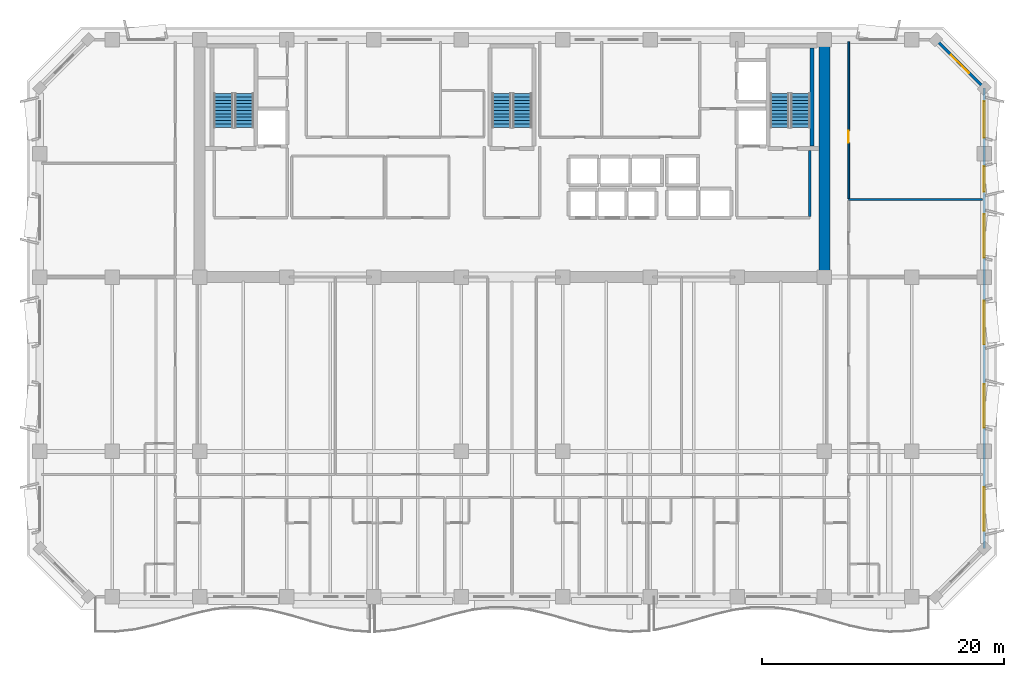
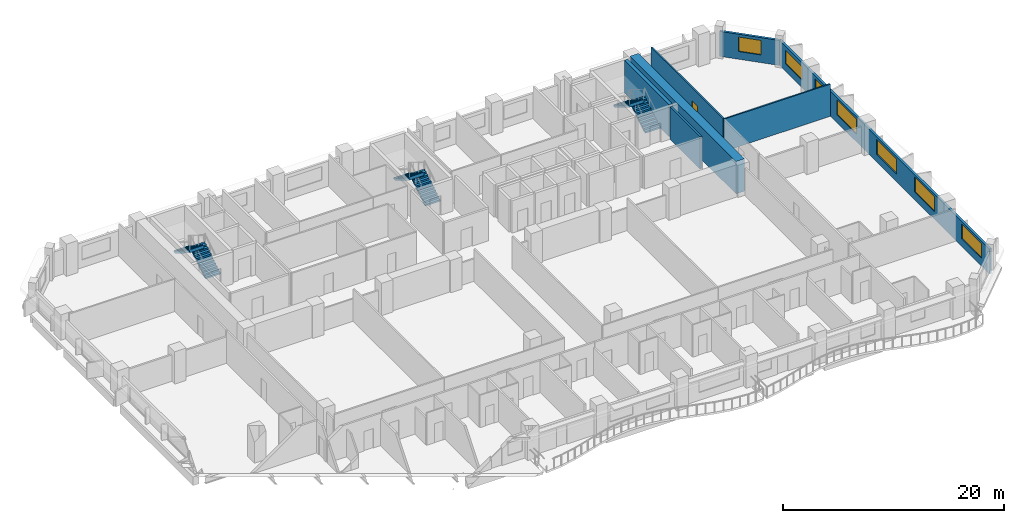
# One storey, part 10 of 15: 7 walls, 7 windows, 6 stair flights, 1 door, 8 openings, 3 elements without a shape of their own.
"""IFC4 building model written with IfcOpenShell, lengths in metres."""

from ifc_helpers import new_model, si_unit, direction, frame, frame_2d, origin, place, context, subcontext, project, spatial, polyline, rectangle, outline, extrude, material, layer, layer_set, type_object, element, fill, aggregate, save


model = new_model("IFC4")

# Units and contexts
model_context = context("Model", 3, precision=1e-05, world=origin(), true_north=direction((0.0, 1.0)))
body_context = subcontext(model_context, "Body", "Model", "MODEL_VIEW")
ifc_project = project(units=[si_unit("LENGTHUNIT", "METRE"), si_unit("AREAUNIT", "SQUARE_METRE"), si_unit("VOLUMEUNIT", "CUBIC_METRE"), si_unit("PLANEANGLEUNIT", "RADIAN"), si_unit("MASSUNIT", "GRAM", prefix="KILO")], contexts=[model_context])

# Site, building, storey
site_placement = place(None, origin())
site = spatial("IfcSite", under=ifc_project, at=site_placement, CompositionType="ELEMENT")
building_placement = place(site_placement, origin())
building = spatial("IfcBuilding", under=site, at=building_placement, Name="Kaelvorn Grand Hotel", CompositionType="ELEMENT")
storey_placement = place(building_placement, frame((0.0, 0.0, 139.14990234375)))
storey = spatial("IfcBuildingStorey", under=building, at=storey_placement, Name="L33", CompositionType="ELEMENT", Elevation=139.14990234375)

# Wall
ifc_material_1 = material(Name="Concrete C60/75", Category="concrete")
ifc_layer_1 = layer(ifc_material_1, 0.89990234375)
ifc_layer_set_1 = layer_set([ifc_layer_1], Name="Concrete C60/75")
wall_type_1 = type_object("IfcWallType", Name="WL-CORE-900-C60", PredefinedType="SHEAR", material=ifc_layer_set_1)
wall_1_placement = place(storey_placement, frame((67.800048828125, 29.39990234375, 0.0), z_axis=(0.0, 0.0, 1.0), x_axis=(0.0, 1.0, 0.0)))
element("IfcWall", 1, at=wall_1_placement, inside=storey, type_object=wall_type_1, Name="L33 Rear-Core East Shear Wall", PredefinedType="SHEAR", context=body_context, shape_type="SweptSolid", body=[
    extrude(rectangle(XDim=19.2001953125, YDim=0.89990234375, at=frame_2d((9.60009765625, 0.0))), origin(), (0.0, 0.0, 1.0), 3.56005859375),
])

# Wall, openings, windows
ifc_material_2 = material(Name="Concrete C40/50", Category="concrete")
ifc_layer_2 = layer(ifc_material_2, 0.239990234375)
ifc_layer_set_2 = layer_set([ifc_layer_2], Name="Concrete C40/50")
wall_type_2 = type_object("IfcWallType", Name="WL-EXT-240-C40", PredefinedType="SOLIDWALL", material=ifc_layer_set_2)
wall_2_placement = place(storey_placement, frame((81.0, 7.0, 0.0), z_axis=(0.0, 0.0, 1.0), x_axis=(0.0, 1.0, 0.0)))
wall_2 = element("IfcWall", 2, at=wall_2_placement, inside=storey, type_object=wall_type_2, Name="L33 Exterior Architectural Concrete Wall 03", PredefinedType="SOLIDWALL", context=body_context, shape_type="SweptSolid", body=[
    extrude(rectangle(XDim=38.0, YDim=0.239990234375, at=frame_2d((19.0, 0.0))), origin(), (0.0, 0.0, 1.0), 2.760009765625),
])
opening_1_placement = place(wall_2_placement, frame((1.449951171875, 0.0, 0.85009765625)))
opening_1 = element("IfcOpeningElement", 3, at=opening_1_placement, cuts=wall_2, Name="Opening W3", PredefinedType="OPENING", context=body_context, shape_type="SweptSolid", body=[
    extrude(rectangle(XDim=3.60009765625, YDim=1.64990234375, at=frame_2d((1.800048828125, 0.824951171875))), frame((0.0, 0.1298828125, 0.0), z_axis=(0.0, -1.0, 0.0), x_axis=(1.0, 0.0, 0.0)), (0.0, 0.0, 1.0), 0.260009765625),
])
opening_2_placement = place(wall_2_placement, frame((9.965087890625, 0.0, 0.85009765625)))
opening_2 = element("IfcOpeningElement", 4, at=opening_2_placement, cuts=wall_2, Name="Opening W3", PredefinedType="OPENING", context=body_context, shape_type="SweptSolid", body=[
    extrude(rectangle(XDim=3.60009765625, YDim=1.64990234375, at=frame_2d((1.800048828125, 0.824951171875))), frame((0.0, 0.1298828125, 0.0), z_axis=(0.0, -1.0, 0.0), x_axis=(1.0, 0.0, 0.0)), (0.0, 0.0, 1.0), 0.260009765625),
])
opening_3_placement = place(wall_2_placement, frame((16.8349609375, 0.0, 0.85009765625)))
opening_3 = element("IfcOpeningElement", 5, at=opening_3_placement, cuts=wall_2, Name="Opening W3", PredefinedType="OPENING", context=body_context, shape_type="SweptSolid", body=[
    extrude(rectangle(XDim=3.60009765625, YDim=1.64990234375, at=frame_2d((1.800048828125, 0.824951171875))), frame((0.0, 0.1298828125, 0.0), z_axis=(0.0, -1.0, 0.0), x_axis=(1.0, 0.0, 0.0)), (0.0, 0.0, 1.0), 0.260009765625),
])
opening_4_placement = place(wall_2_placement, frame((24.0, 0.0, 0.85009765625)))
opening_4 = element("IfcOpeningElement", 6, at=opening_4_placement, cuts=wall_2, Name="Opening W3", PredefinedType="OPENING", context=body_context, shape_type="SweptSolid", body=[
    extrude(rectangle(XDim=3.60009765625, YDim=1.64990234375, at=frame_2d((1.800048828125, 0.824951171875))), frame((0.0, 0.1298828125, 0.0), z_axis=(0.0, -1.0, 0.0), x_axis=(1.0, 0.0, 0.0)), (0.0, 0.0, 1.0), 0.260009765625),
])
opening_5_placement = place(wall_2_placement, frame((29.449951171875, 0.0, 0.85009765625)))
opening_5 = element("IfcOpeningElement", 7, at=opening_5_placement, cuts=wall_2, Name="Opening W7", PredefinedType="OPENING", context=body_context, shape_type="SweptSolid", body=[
    extrude(rectangle(XDim=2.10009765625, YDim=1.60009765625, at=frame_2d((1.050048828125, 0.800048828125))), frame((0.0, 0.1298828125, 0.0), z_axis=(0.0, -1.0, 0.0), x_axis=(1.0, 0.0, 0.0)), (0.0, 0.0, 1.0), 0.260009765625),
])
opening_6_placement = place(wall_2_placement, frame((33.9150390625, 0.0, 0.85009765625)))
opening_6 = element("IfcOpeningElement", 8, at=opening_6_placement, cuts=wall_2, Name="Opening W5", PredefinedType="OPENING", context=body_context, shape_type="SweptSolid", body=[
    extrude(rectangle(XDim=3.0, YDim=1.5, at=frame_2d((1.5, 0.75))), frame((0.0, 0.1298828125, 0.0), z_axis=(0.0, -1.0, 0.0), x_axis=(1.0, 0.0, 0.0)), (0.0, 0.0, 1.0), 0.260009765625),
])
ifc_material_3 = material(Name="Laminated Low-E Glass", Category="glass")
window_type_1 = type_object("IfcWindowType", Name="WIN-CHM-2100x1600", PartitioningType="SINGLE_PANEL", PredefinedType="WINDOW", material=ifc_material_3)
window_1_placement = place(opening_5_placement, origin())
window_1 = element("IfcWindow", 9, at=window_1_placement, inside=storey, type_object=window_type_1, Name="L33 E Wing Tilted-Frame Ribbon Window E05", OverallHeight=1.60009765625, OverallWidth=2.10009765625, PartitioningType="SINGLE_PANEL", PredefinedType="WINDOW", context=body_context, shape_type="SweptSolid", body=[
    extrude(rectangle(XDim=2.10009765625, YDim=1.60009765625, at=frame_2d((1.050048828125, 0.800048828125))), frame((0.0, 0.030029296875, 0.0), z_axis=(0.0, -1.0, 0.0), x_axis=(1.0, 0.0, 0.0)), (0.0, 0.0, 1.0), 0.06005859375),
])
fill(opening_5, window_1)
window_type_2 = type_object("IfcWindowType", Name="WIN-NTH-3000x1500", PartitioningType="SINGLE_PANEL", PredefinedType="WINDOW", material=ifc_material_3)
window_2_placement = place(opening_6_placement, origin())
window_2 = element("IfcWindow", 10, at=window_2_placement, inside=storey, type_object=window_type_2, Name="L33 E Wing Tilted-Frame Ribbon Window E06", OverallHeight=1.5, OverallWidth=3.0, PartitioningType="SINGLE_PANEL", PredefinedType="WINDOW", context=body_context, shape_type="SweptSolid", body=[
    extrude(rectangle(XDim=3.0, YDim=1.5, at=frame_2d((1.5, 0.75))), frame((0.0, 0.030029296875, 0.0), z_axis=(0.0, -1.0, 0.0), x_axis=(1.0, 0.0, 0.0)), (0.0, 0.0, 1.0), 0.06005859375),
])
fill(opening_6, window_2)
window_type_3 = type_object("IfcWindowType", Name="WIN-RIB-3600x1750", PartitioningType="SINGLE_PANEL", PredefinedType="WINDOW", material=ifc_material_3)
window_3_placement = place(opening_1_placement, origin())
window_3 = element("IfcWindow", 11, at=window_3_placement, inside=storey, type_object=window_type_3, Name="L33 E Wing Tilted-Frame Ribbon Window E01", OverallHeight=1.64990234375, OverallWidth=3.60009765625, PartitioningType="SINGLE_PANEL", PredefinedType="WINDOW", context=body_context, shape_type="SweptSolid", body=[
    extrude(rectangle(XDim=3.60009765625, YDim=1.64990234375, at=frame_2d((1.800048828125, 0.824951171875))), frame((0.0, 0.030029296875, 0.0), z_axis=(0.0, -1.0, 0.0), x_axis=(1.0, 0.0, 0.0)), (0.0, 0.0, 1.0), 0.06005859375),
])
fill(opening_1, window_3)
window_4_placement = place(opening_2_placement, origin())
window_4 = element("IfcWindow", 12, at=window_4_placement, inside=storey, type_object=window_type_3, Name="L33 E Wing Tilted-Frame Ribbon Window E02", OverallHeight=1.64990234375, OverallWidth=3.60009765625, PartitioningType="SINGLE_PANEL", PredefinedType="WINDOW", context=body_context, shape_type="SweptSolid", body=[
    extrude(rectangle(XDim=3.60009765625, YDim=1.64990234375, at=frame_2d((1.800048828125, 0.824951171875))), frame((0.0, 0.030029296875, 0.0), z_axis=(0.0, -1.0, 0.0), x_axis=(1.0, 0.0, 0.0)), (0.0, 0.0, 1.0), 0.06005859375),
])
fill(opening_2, window_4)
window_5_placement = place(opening_3_placement, origin())
window_5 = element("IfcWindow", 13, at=window_5_placement, inside=storey, type_object=window_type_3, Name="L33 E Wing Tilted-Frame Ribbon Window E03", OverallHeight=1.64990234375, OverallWidth=3.60009765625, PartitioningType="SINGLE_PANEL", PredefinedType="WINDOW", context=body_context, shape_type="SweptSolid", body=[
    extrude(rectangle(XDim=3.60009765625, YDim=1.64990234375, at=frame_2d((1.800048828125, 0.824951171875))), frame((0.0, 0.030029296875, 0.0), z_axis=(0.0, -1.0, 0.0), x_axis=(1.0, 0.0, 0.0)), (0.0, 0.0, 1.0), 0.06005859375),
])
fill(opening_3, window_5)
window_6_placement = place(opening_4_placement, origin())
window_6 = element("IfcWindow", 14, at=window_6_placement, inside=storey, type_object=window_type_3, Name="L33 E Wing Tilted-Frame Ribbon Window E04", OverallHeight=1.64990234375, OverallWidth=3.60009765625, PartitioningType="SINGLE_PANEL", PredefinedType="WINDOW", context=body_context, shape_type="SweptSolid", body=[
    extrude(rectangle(XDim=3.60009765625, YDim=1.64990234375, at=frame_2d((1.800048828125, 0.824951171875))), frame((0.0, 0.030029296875, 0.0), z_axis=(0.0, -1.0, 0.0), x_axis=(1.0, 0.0, 0.0)), (0.0, 0.0, 1.0), 0.06005859375),
])
fill(opening_4, window_6)

# Wall, opening, window
wall_3_placement = place(storey_placement, frame((81.0, 45.0, 0.0), z_axis=(0.0, 0.0, 1.0), x_axis=(-0.707106781187, 0.707106781187, 0.0)))
wall_3 = element("IfcWall", 15, at=wall_3_placement, inside=storey, type_object=wall_type_2, Name="L33 Exterior Architectural Concrete Wall 04", PredefinedType="SOLIDWALL", context=body_context, shape_type="SweptSolid", body=[
    extrude(rectangle(XDim=5.65673828125, YDim=0.239990234375, at=frame_2d((2.828369140625, 0.0))), origin(), (0.0, 0.0, 1.0), 2.760009765625),
])
opening_7_placement = place(wall_3_placement, frame((1.7783203125, 0.0, 0.85009765625)))
opening_7 = element("IfcOpeningElement", 16, at=opening_7_placement, cuts=wall_3, Name="Opening W7", PredefinedType="OPENING", context=body_context, shape_type="SweptSolid", body=[
    extrude(rectangle(XDim=2.10009765625, YDim=1.60009765625, at=frame_2d((1.050048828125, 0.800048828125))), frame((0.0, 0.1298828125, 0.0), z_axis=(0.0, -1.0, 0.0), x_axis=(1.0, 0.0, 0.0)), (0.0, 0.0, 1.0), 0.260009765625),
])
window_7_placement = place(opening_7_placement, origin())
window_7 = element("IfcWindow", 17, at=window_7_placement, inside=storey, type_object=window_type_1, Name="L33 Chamfered 45-Degree Corner Window NE", OverallHeight=1.60009765625, OverallWidth=2.10009765625, PartitioningType="SINGLE_PANEL", PredefinedType="WINDOW", context=body_context, shape_type="SweptSolid", body=[
    extrude(rectangle(XDim=2.10009765625, YDim=1.60009765625, at=frame_2d((1.050048828125, 0.800048828125))), frame((0.0, 0.030029296875, 0.0), z_axis=(0.0, -1.0, 0.0), x_axis=(1.0, 0.0, 0.0)), (0.0, 0.0, 1.0), 0.06005859375),
])
fill(opening_7, window_7)

# Wall
ifc_material_4 = material(Name="Acoustic Gypsum & Stud Partition")
ifc_layer_3 = layer(ifc_material_4, 0.14990234375)
ifc_layer_set_3 = layer_set([ifc_layer_3], Name="Acoustic Gypsum & Stud Partition")
wall_type_3 = type_object("IfcWallType", Name="WL-PART-150-EI60", PredefinedType="PARTITIONING", material=ifc_layer_set_3)
wall_4_placement = place(storey_placement, frame((69.800048828125, 35.800048828125, 0.0), z_axis=(0.0, 0.0, 1.0), x_axis=(1.0, 0.0, 0.0)))
element("IfcWall", 18, at=wall_4_placement, inside=storey, type_object=wall_type_3, Name="L33 North-East Wellness Fitness Gym N Partition", PredefinedType="PARTITIONING", context=body_context, shape_type="SweptSolid", body=[
    extrude(rectangle(XDim=11.050048828125, YDim=0.14990234375, at=frame_2d((5.52490234375, 0.0))), origin(), (0.0, 0.0, 1.0), 3.56005859375),
])

# Wall, opening, door
wall_5_placement = place(storey_placement, frame((69.800048828125, 35.8798828125, 0.0), z_axis=(0.0, 0.0, 1.0), x_axis=(0.0, 1.0, 0.0)))
wall_5 = element("IfcWall", 19, at=wall_5_placement, inside=storey, type_object=wall_type_3, Name="L33 North-East Private Dining Restaurant W Partition", PredefinedType="PARTITIONING", context=body_context, shape_type="SweptSolid", body=[
    extrude(rectangle(XDim=12.97021484375, YDim=0.14990234375, at=frame_2d((6.485107421875, 0.0))), origin(), (0.0, 0.0, 1.0), 3.56005859375),
])
opening_8_placement = place(wall_5_placement, frame((4.6201171875, 0.0, 0.0)))
opening_8 = element("IfcOpeningElement", 20, at=opening_8_placement, cuts=wall_5, Name="Opening DI3", PredefinedType="OPENING", context=body_context, shape_type="SweptSolid", body=[
    extrude(rectangle(XDim=1.0, YDim=2.14990234375, at=frame_2d((0.5, 1.074951171875))), frame((0.0, 0.0849609375, 0.0), z_axis=(0.0, -1.0, 0.0), x_axis=(1.0, 0.0, 0.0)), (0.0, 0.0, 1.0), 0.169921875),
])
ifc_material_5 = material(Name="Timber Veneer Fire Leaf", Category="wood")
door_type = type_object("IfcDoorType", Name="DR-INT-GUEST-1000x2150", OperationType="NOTDEFINED", PredefinedType="DOOR", material=ifc_material_5)
door_placement = place(opening_8_placement, origin())
door = element("IfcDoor", 21, at=door_placement, inside=storey, type_object=door_type, Name="L33 North-East Private Dining Restaurant Door", OperationType="SINGLE_SWING_RIGHT", OverallHeight=2.14990234375, OverallWidth=1.0, PredefinedType="DOOR", context=body_context, shape_type="SweptSolid", body=[
    extrude(rectangle(XDim=1.0, YDim=2.14990234375, at=frame_2d((0.5, 1.074951171875))), frame((0.0, 0.02490234375, 0.0), z_axis=(0.0, -1.0, 0.0), x_axis=(1.0, 0.0, 0.0)), (0.0, 0.0, 1.0), 0.050048828125),
])
fill(opening_8, door)

# Walls
ifc_layer_4 = layer(ifc_material_2, 0.219970703125)
ifc_layer_set_4 = layer_set([ifc_layer_4], Name="Concrete C40/50")
wall_type_4 = type_object("IfcWallType", Name="WL-PART-220-EI120", PredefinedType="PARTITIONING", material=ifc_layer_set_4)
wall_6_placement = place(storey_placement, frame((66.60009765625, 34.4150390625, 0.0), z_axis=(0.0, 0.0, 1.0), x_axis=(0.0, 1.0, 0.0)))
element("IfcWall", 22, at=wall_6_placement, inside=storey, type_object=wall_type_4, Name="L33 Firefighting Lift Lobby 2 E Partition", PredefinedType="PARTITIONING", context=body_context, shape_type="SweptSolid", body=[
    extrude(rectangle(XDim=5.429931640625, YDim=0.219970703125, at=frame_2d((2.71484375, 0.0))), origin(), (0.0, 0.0, 1.0), 3.56005859375),
])
ifc_layer_5 = layer(ifc_material_1, 0.35009765625)
ifc_layer_set_5 = layer_set([ifc_layer_5], Name="Concrete C60/75")
wall_type_5 = type_object("IfcWallType", Name="WL-SHAFT-350-C60", PredefinedType="SHEAR", material=ifc_layer_set_5)
wall_7_placement = place(storey_placement, frame((66.77490234375, 40.205078125, 0.0), z_axis=(0.0, 0.0, 1.0), x_axis=(0.0, 1.0, 0.0)))
element("IfcWall", 23, at=wall_7_placement, inside=storey, type_object=wall_type_5, Name="L33 ST3 Stair Shaft East Wall", PredefinedType="SHEAR", context=body_context, shape_type="SweptSolid", body=[
    extrude(rectangle(XDim=8.08984375, YDim=0.35009765625, at=frame_2d((4.044921875, 0.0))), origin(), (0.0, 0.0, 1.0), 3.56005859375),
])

# Stair, stair flights
stair_type = type_object("IfcStairType", Name="STR-DOG-1560-R08", PredefinedType="HALF_TURN_STAIR", material=ifc_material_2)
stair_1_placement = place(storey_placement, origin())
stair_1 = element("IfcStair", 24, at=stair_1_placement, inside=storey, type_object=stair_type, Name="L33 West Core Exit Stair ST1", PredefinedType="HALF_TURN_STAIR")
stair_flight_type = type_object("IfcStairFlightType", Name="FLG-DOG-1560-R08", PredefinedType="STRAIGHT", material=ifc_material_2)
stair_flight_1_placement = place(storey_placement, frame((19.89990234375, 41.760009765625, 0.0), z_axis=(0.0, 0.0, 1.0), x_axis=(0.0, 1.0, 0.0)))
stair_flight_1 = element("IfcStairFlight", 25, at=stair_flight_1_placement, type_object=stair_flight_type, Name="ST1 flight 1", NumberOfRisers=11, NumberOfTreads=10, PredefinedType="STRAIGHT", RiserHeight=0.172727273, TreadLength=0.28, context=body_context, shape_type="SweptSolid", body=[
    extrude(outline(polyline([(-0.0048828125, 0.0), (-0.0048828125, 0.0400390625), (0.0, 0.172607421875), (0.280029296875, 0.172607421875), (0.280029296875, 0.345458984375), (0.56005859375, 0.345458984375), (0.56005859375, 0.51806640625), (0.840087890625, 0.51806640625), (0.840087890625, 0.69091796875), (1.1201171875, 0.69091796875), (1.1201171875, 0.863525390625), (1.39990234375, 0.863525390625), (1.39990234375, 1.036376953125), (1.679931640625, 1.036376953125), (1.679931640625, 1.208984375), (1.9599609375, 1.208984375), (1.9599609375, 1.3818359375), (2.239990234375, 1.3818359375), (2.239990234375, 1.554443359375), (2.52001953125, 1.554443359375), (2.52001953125, 1.727294921875), (2.800048828125, 1.727294921875), (2.800048828125, 1.89990234375), (2.804931640625, 1.89990234375), (2.804931640625, 1.551025390625), (0.285400390625, 0.0), (-0.0048828125, 0.0)])), frame((0.0, 0.780029296875, 0.0), z_axis=(0.0, -1.0, 0.0), x_axis=(1.0, 0.0, 0.0)), (0.0, 0.0, 1.0), 1.56005859375),
])
stair_flight_2_placement = place(storey_placement, frame((18.179931640625, 44.56005859375, 1.900146484375), z_axis=(0.0, 0.0, 1.0), x_axis=(0.0, -1.0, 0.0)))
stair_flight_2 = element("IfcStairFlight", 26, at=stair_flight_2_placement, type_object=stair_flight_type, Name="ST1 flight 2", NumberOfRisers=11, NumberOfTreads=10, PredefinedType="STRAIGHT", RiserHeight=0.172727273, TreadLength=0.28, context=body_context, shape_type="SweptSolid", body=[
    extrude(outline(polyline([(-0.0048828125, 0.0), (-0.0048828125, 0.0400390625), (0.0, 0.172607421875), (0.280029296875, 0.172607421875), (0.280029296875, 0.345458984375), (0.56005859375, 0.345458984375), (0.56005859375, 0.51806640625), (0.840087890625, 0.51806640625), (0.840087890625, 0.69091796875), (1.1201171875, 0.69091796875), (1.1201171875, 0.863525390625), (1.39990234375, 0.863525390625), (1.39990234375, 1.036376953125), (1.679931640625, 1.036376953125), (1.679931640625, 1.208984375), (1.9599609375, 1.208984375), (1.9599609375, 1.3818359375), (2.239990234375, 1.3818359375), (2.239990234375, 1.554443359375), (2.52001953125, 1.554443359375), (2.52001953125, 1.727294921875), (2.800048828125, 1.727294921875), (2.800048828125, 1.89990234375), (2.804931640625, 1.89990234375), (2.804931640625, 1.551025390625), (0.285400390625, 0.0), (-0.0048828125, 0.0)])), frame((0.0, 0.780029296875, 0.0), z_axis=(0.0, -1.0, 0.0), x_axis=(1.0, 0.0, 0.0)), (0.0, 0.0, 1.0), 1.56005859375),
])
aggregate(stair_1, [stair_flight_1, stair_flight_2])

stair_2_placement = place(storey_placement, origin())
stair_2 = element("IfcStair", 27, at=stair_2_placement, inside=storey, type_object=stair_type, Name="L33 Central Core Exit Stair ST2", PredefinedType="HALF_TURN_STAIR")
stair_flight_3_placement = place(storey_placement, frame((42.860107421875, 41.760009765625, 0.0), z_axis=(0.0, 0.0, 1.0), x_axis=(0.0, 1.0, 0.0)))
stair_flight_3 = element("IfcStairFlight", 28, at=stair_flight_3_placement, type_object=stair_flight_type, Name="ST2 flight 1", NumberOfRisers=11, NumberOfTreads=10, PredefinedType="STRAIGHT", RiserHeight=0.172727273, TreadLength=0.28, context=body_context, shape_type="SweptSolid", body=[
    extrude(outline(polyline([(-0.0048828125, 0.0), (-0.0048828125, 0.0400390625), (0.0, 0.172607421875), (0.280029296875, 0.172607421875), (0.280029296875, 0.345458984375), (0.56005859375, 0.345458984375), (0.56005859375, 0.51806640625), (0.840087890625, 0.51806640625), (0.840087890625, 0.69091796875), (1.1201171875, 0.69091796875), (1.1201171875, 0.863525390625), (1.39990234375, 0.863525390625), (1.39990234375, 1.036376953125), (1.679931640625, 1.036376953125), (1.679931640625, 1.208984375), (1.9599609375, 1.208984375), (1.9599609375, 1.3818359375), (2.239990234375, 1.3818359375), (2.239990234375, 1.554443359375), (2.52001953125, 1.554443359375), (2.52001953125, 1.727294921875), (2.800048828125, 1.727294921875), (2.800048828125, 1.89990234375), (2.804931640625, 1.89990234375), (2.804931640625, 1.551025390625), (0.285400390625, 0.0), (-0.0048828125, 0.0)])), frame((0.0, 0.780029296875, 0.0), z_axis=(0.0, -1.0, 0.0), x_axis=(1.0, 0.0, 0.0)), (0.0, 0.0, 1.0), 1.56005859375),
])
stair_flight_4_placement = place(storey_placement, frame((41.139892578125, 44.56005859375, 1.900146484375), z_axis=(0.0, 0.0, 1.0), x_axis=(0.0, -1.0, 0.0)))
stair_flight_4 = element("IfcStairFlight", 29, at=stair_flight_4_placement, type_object=stair_flight_type, Name="ST2 flight 2", NumberOfRisers=11, NumberOfTreads=10, PredefinedType="STRAIGHT", RiserHeight=0.172727273, TreadLength=0.28, context=body_context, shape_type="SweptSolid", body=[
    extrude(outline(polyline([(-0.0048828125, 0.0), (-0.0048828125, 0.0400390625), (0.0, 0.172607421875), (0.280029296875, 0.172607421875), (0.280029296875, 0.345458984375), (0.56005859375, 0.345458984375), (0.56005859375, 0.51806640625), (0.840087890625, 0.51806640625), (0.840087890625, 0.69091796875), (1.1201171875, 0.69091796875), (1.1201171875, 0.863525390625), (1.39990234375, 0.863525390625), (1.39990234375, 1.036376953125), (1.679931640625, 1.036376953125), (1.679931640625, 1.208984375), (1.9599609375, 1.208984375), (1.9599609375, 1.3818359375), (2.239990234375, 1.3818359375), (2.239990234375, 1.554443359375), (2.52001953125, 1.554443359375), (2.52001953125, 1.727294921875), (2.800048828125, 1.727294921875), (2.800048828125, 1.89990234375), (2.804931640625, 1.89990234375), (2.804931640625, 1.551025390625), (0.285400390625, 0.0), (-0.0048828125, 0.0)])), frame((0.0, 0.780029296875, 0.0), z_axis=(0.0, -1.0, 0.0), x_axis=(1.0, 0.0, 0.0)), (0.0, 0.0, 1.0), 1.56005859375),
])
aggregate(stair_2, [stair_flight_3, stair_flight_4])

stair_3_placement = place(storey_placement, origin())
stair_3 = element("IfcStair", 30, at=stair_3_placement, inside=storey, type_object=stair_type, Name="L33 East Core Exit Stair ST3", PredefinedType="HALF_TURN_STAIR")
stair_flight_5_placement = place(storey_placement, frame((65.820068359375, 41.760009765625, 0.0), z_axis=(0.0, 0.0, 1.0), x_axis=(0.0, 1.0, 0.0)))
stair_flight_5 = element("IfcStairFlight", 31, at=stair_flight_5_placement, type_object=stair_flight_type, Name="ST3 flight 1", NumberOfRisers=11, NumberOfTreads=10, PredefinedType="STRAIGHT", RiserHeight=0.172727273, TreadLength=0.28, context=body_context, shape_type="SweptSolid", body=[
    extrude(outline(polyline([(-0.0048828125, 0.0), (-0.0048828125, 0.0400390625), (0.0, 0.172607421875), (0.280029296875, 0.172607421875), (0.280029296875, 0.345458984375), (0.56005859375, 0.345458984375), (0.56005859375, 0.51806640625), (0.840087890625, 0.51806640625), (0.840087890625, 0.69091796875), (1.1201171875, 0.69091796875), (1.1201171875, 0.863525390625), (1.39990234375, 0.863525390625), (1.39990234375, 1.036376953125), (1.679931640625, 1.036376953125), (1.679931640625, 1.208984375), (1.9599609375, 1.208984375), (1.9599609375, 1.3818359375), (2.239990234375, 1.3818359375), (2.239990234375, 1.554443359375), (2.52001953125, 1.554443359375), (2.52001953125, 1.727294921875), (2.800048828125, 1.727294921875), (2.800048828125, 1.89990234375), (2.804931640625, 1.89990234375), (2.804931640625, 1.551025390625), (0.285400390625, 0.0), (-0.0048828125, 0.0)])), frame((0.0, 0.780029296875, 0.0), z_axis=(0.0, -1.0, 0.0), x_axis=(1.0, 0.0, 0.0)), (0.0, 0.0, 1.0), 1.56005859375),
])
stair_flight_6_placement = place(storey_placement, frame((64.10009765625, 44.56005859375, 1.900146484375), z_axis=(0.0, 0.0, 1.0), x_axis=(0.0, -1.0, 0.0)))
stair_flight_6 = element("IfcStairFlight", 32, at=stair_flight_6_placement, type_object=stair_flight_type, Name="ST3 flight 2", NumberOfRisers=11, NumberOfTreads=10, PredefinedType="STRAIGHT", RiserHeight=0.172727273, TreadLength=0.28, context=body_context, shape_type="SweptSolid", body=[
    extrude(outline(polyline([(-0.0048828125, 0.0), (-0.0048828125, 0.0400390625), (0.0, 0.172607421875), (0.280029296875, 0.172607421875), (0.280029296875, 0.345458984375), (0.56005859375, 0.345458984375), (0.56005859375, 0.51806640625), (0.840087890625, 0.51806640625), (0.840087890625, 0.69091796875), (1.1201171875, 0.69091796875), (1.1201171875, 0.863525390625), (1.39990234375, 0.863525390625), (1.39990234375, 1.036376953125), (1.679931640625, 1.036376953125), (1.679931640625, 1.208984375), (1.9599609375, 1.208984375), (1.9599609375, 1.3818359375), (2.239990234375, 1.3818359375), (2.239990234375, 1.554443359375), (2.52001953125, 1.554443359375), (2.52001953125, 1.727294921875), (2.800048828125, 1.727294921875), (2.800048828125, 1.89990234375), (2.804931640625, 1.89990234375), (2.804931640625, 1.551025390625), (0.285400390625, 0.0), (-0.0048828125, 0.0)])), frame((0.0, 0.780029296875, 0.0), z_axis=(0.0, -1.0, 0.0), x_axis=(1.0, 0.0, 0.0)), (0.0, 0.0, 1.0), 1.56005859375),
])
aggregate(stair_3, [stair_flight_5, stair_flight_6])

save(model, "model.ifc")
